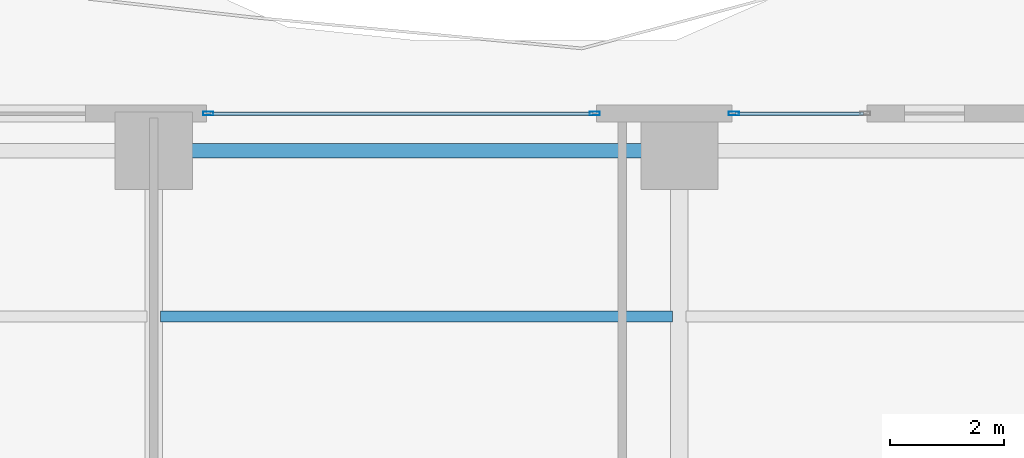
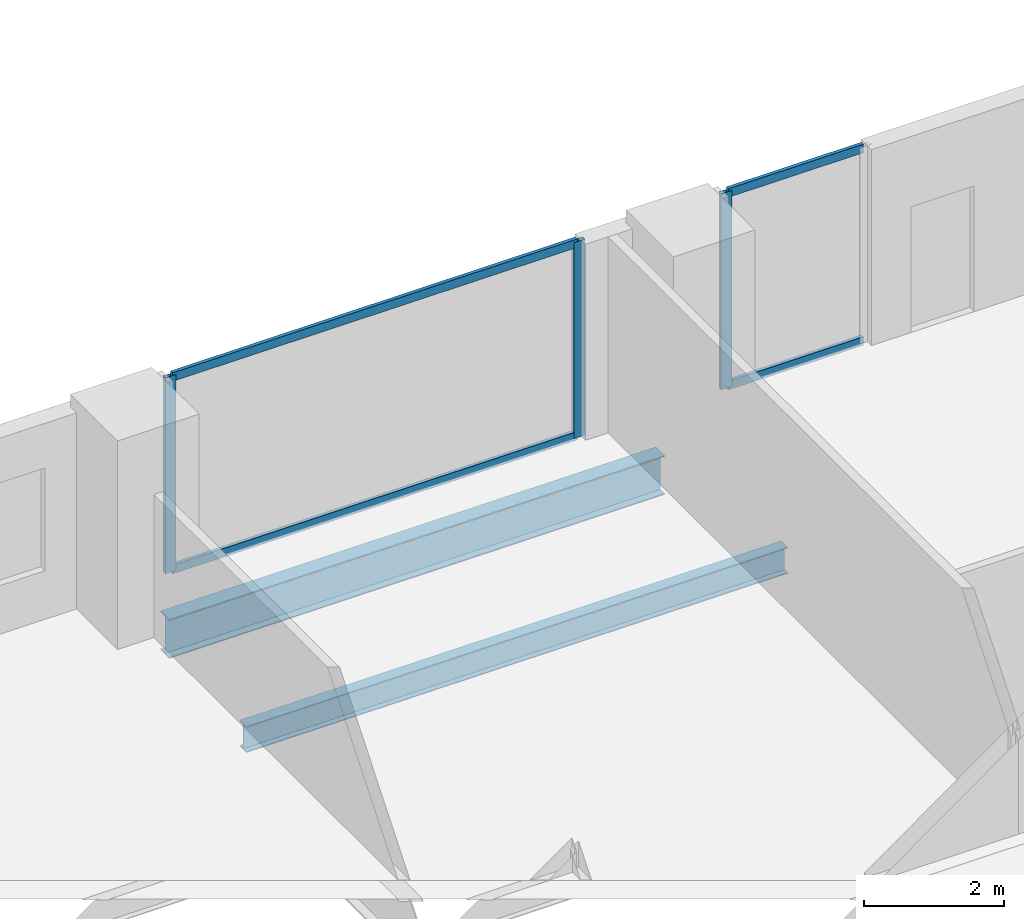
# One storey, part 16 of 27: 7 members, 2 beams, 2 elements without a shape of their own.
"""IFC4 building model written with IfcOpenShell, lengths in metres."""

import ifcopenshell
import ifcopenshell.guid

model = None  # the IFC model being written
_history = None  # IfcOwnerHistory: only IFC2X3 demands one
_inside = {}  # id of a spatial element -> (the spatial element, [elements in it])
_under = {}  # id of a project, library or spatial element -> (it, [spatial elements below it])
_declared = {}  # id of a project -> (the project, [libraries it declares])
_typed = {}  # id of a type object -> (the type object, [elements of that type])
_made_of = {}  # id of a material, layer set ... -> (it, [elements and type objects made of it])


def new_model(schema):
    """Start an empty IFC model of exactly this schema.

    Asked for "IFC4X3", IfcOpenShell would pick the latest addendum, in which some entities
    have other attributes; the version numbers below select the first issue.
    IFC2X3 requires an IfcOwnerHistory on every rooted entity: one is made here for all.
    """
    global model, _history
    if schema == "IFC4X3":
        model = ifcopenshell.file(schema_version=(4, 3, 0, 0))
    else:
        model = ifcopenshell.file(schema=schema)
    _inside.clear()
    _under.clear()
    _declared.clear()
    _typed.clear()
    _made_of.clear()
    _history = None
    if model.schema == "IFC2X3":
        org = make("IfcOrganization", Name="unknown")
        user = make(
            "IfcPersonAndOrganization",
            ThePerson=make("IfcPerson", FamilyName="unknown"),
            TheOrganization=org,
        )
        app = make(
            "IfcApplication",
            ApplicationDeveloper=org,
            Version="unknown",
            ApplicationFullName="unknown",
            ApplicationIdentifier="unknown",
        )
        _history = make(
            "IfcOwnerHistory",
            OwningUser=user,
            OwningApplication=app,
            ChangeAction="ADDED",
            CreationDate=0,
        )
    return model


def make(cls, **values):
    """One entity of the class cls with the attributes given. An attribute that is None is left unset."""
    return model.create_entity(
        cls, **{name: value for name, value in values.items() if value is not None}
    )


def rooted(cls, **values):
    """An entity with a GlobalId (a new one), such as an element, a storey or a relation."""
    return make(cls, GlobalId=ifcopenshell.guid.new(), OwnerHistory=_history, **values)


def si_unit(unit_type, name, prefix=None):
    """IfcSIUnit, for example si_unit("LENGTHUNIT", "METRE", prefix="MILLI")."""
    return make("IfcSIUnit", UnitType=unit_type, Prefix=prefix, Name=name)


def assignment(units):
    """IfcUnitAssignment: the units of a project."""
    return None if units is None else make("IfcUnitAssignment", Units=units)


def point(xyz):
    """IfcCartesianPoint."""
    return None if xyz is None else make("IfcCartesianPoint", Coordinates=xyz)


def direction(xyz):
    """IfcDirection."""
    return None if xyz is None else make("IfcDirection", DirectionRatios=xyz)


def frame(location, z_axis=None, x_axis=None):
    """IfcAxis2Placement3D, a coordinate frame: its origin and axes. An axis left out is left unset."""
    return make(
        "IfcAxis2Placement3D",
        Location=point(location),
        Axis=direction(z_axis),
        RefDirection=direction(x_axis),
    )


def frame_2d(location, x_axis=None):
    """IfcAxis2Placement2D, a coordinate frame in the plane: its origin and x axis."""
    return make(
        "IfcAxis2Placement2D", Location=point(location), RefDirection=direction(x_axis)
    )


def origin():
    """The frame at (0, 0, 0) with its axes left unset."""
    return frame((0.0, 0.0, 0.0))


def origin_2d():
    """The frame at (0, 0) in the plane with its x axis left unset."""
    return frame_2d((0.0, 0.0))


def place(relative_to, where):
    """IfcLocalPlacement: puts the frame where relative to a parent placement (None: the world)."""
    return make(
        "IfcLocalPlacement", PlacementRelTo=relative_to, RelativePlacement=where
    )


def context(
    kind, dimensions, precision=None, world=None, true_north=None, identifier=None
):
    """IfcGeometricRepresentationContext, for example the 3D "Model" context."""
    return make(
        "IfcGeometricRepresentationContext",
        ContextIdentifier=identifier,
        ContextType=kind,
        CoordinateSpaceDimension=dimensions,
        Precision=precision,
        WorldCoordinateSystem=world,
        TrueNorth=true_north,
    )


def subcontext(parent, identifier, kind, view, scale=None):
    """IfcGeometricRepresentationSubContext, for example "Body" below "Model"."""
    return make(
        "IfcGeometricRepresentationSubContext",
        ContextIdentifier=identifier,
        ContextType=kind,
        ParentContext=parent,
        TargetScale=scale,
        TargetView=view,
    )


def project(units=None, contexts=None):
    """IfcProject with its units and contexts."""
    return rooted(
        "IfcProject",
        Name="project",
        RepresentationContexts=contexts,
        UnitsInContext=assignment(units),
    )


def spatial(cls, under=None, at=None, **own):
    """A site, building, storey or space (cls), placed at a placement, below another one or the project."""
    s = rooted(cls, ObjectPlacement=at, **own)
    if under is not None:
        _under.setdefault(under.id(), (under, []))[1].append(s)
    return s


def profile(cls, at=None, kind="AREA", **sizes):
    """A parametric profile (cls). Its sizes go by their IFC names, for example OverallWidth=200.0."""
    return make(cls, ProfileType=kind, Position=at, **sizes)


def hollow_rectangle(**sizes):
    """IfcRectangleHollowProfileDef."""
    return profile("IfcRectangleHollowProfileDef", **sizes)


def i_section(**sizes):
    """IfcIShapeProfileDef."""
    return profile("IfcIShapeProfileDef", **sizes)


def extrude(swept, where, along, depth):
    """IfcExtrudedAreaSolid: the profile swept, set in the frame where, extruded along a direction by depth."""
    return make(
        "IfcExtrudedAreaSolid",
        SweptArea=swept,
        Position=where,
        ExtrudedDirection=direction(along),
        Depth=depth,
    )


def shape(context_of_items, identifier, shape_type, items):
    """IfcShapeRepresentation: the items that make up one representation, for example the "Body"."""
    return make(
        "IfcShapeRepresentation",
        ContextOfItems=context_of_items,
        RepresentationIdentifier=identifier,
        RepresentationType=shape_type,
        Items=items,
    )


def material(Name=None, Category=None):
    """IfcMaterial."""
    return make("IfcMaterial", Name=Name, Category=Category)


def layer(
    of_material, thickness, ventilated=None, Name=None, Category=None, Priority=None
):
    """IfcMaterialLayer: one layer of a wall or slab, of a material (None: an air gap)."""
    return make(
        "IfcMaterialLayer",
        Material=of_material,
        LayerThickness=thickness,
        IsVentilated=ventilated,
        Name=Name,
        Category=Category,
        Priority=Priority,
    )


def layer_set(layers, Name=None):
    """IfcMaterialLayerSet."""
    return make("IfcMaterialLayerSet", MaterialLayers=layers, LayerSetName=Name)


def material_profile(
    of_material, cross_section, Name=None, Category=None, Priority=None
):
    """IfcMaterialProfile: a cross section and its material."""
    return make(
        "IfcMaterialProfile",
        Name=Name,
        Material=of_material,
        Profile=cross_section,
        Priority=Priority,
        Category=Category,
    )


def profile_set(profiles, Name=None, composite=None):
    """IfcMaterialProfileSet."""
    return make(
        "IfcMaterialProfileSet",
        Name=Name,
        MaterialProfiles=profiles,
        CompositeProfile=composite,
    )


def made_of(thing, what):
    """Note that an element or type object is made of a material, layer set ...; save() writes the relation."""
    if what is not None:
        _made_of.setdefault(what.id(), (what, []))[1].append(thing)
    return thing


def type_object(cls, material=None, **own):
    """A type object (cls), such as IfcWallType, which elements share."""
    return made_of(rooted(cls, **own), material)


def element(
    cls,
    number,
    at=None,
    inside=None,
    cuts=None,
    type_object=None,
    material=None,
    context=None,
    identifier="Body",
    shape_type=None,
    held_by="IfcProductDefinitionShape",
    body=None,
    shapes=None,
    **own,
):
    """One element of the class cls, such as IfcWall. Its Tag is "e" and its number.

    at: its placement. inside: the storey or other place that contains it. cuts: it is an
    opening in that element (IfcRelVoidsElement). A single representation is given by context,
    identifier, shape_type and body (its items); several are given by shapes. held_by: the class
    of the entity that holds the representations. save() writes the other relations.
    """
    e = rooted(cls, Tag="e%d" % number, ObjectPlacement=at, **own)
    if body is not None:
        shapes = [shape(context, identifier, shape_type, body)]
    if shapes is not None:
        e.Representation = make(held_by, Representations=shapes)
    if inside is not None:
        _inside.setdefault(inside.id(), (inside, []))[1].append(e)
    if cuts is not None:
        rooted(
            "IfcRelVoidsElement", RelatingBuildingElement=cuts, RelatedOpeningElement=e
        )
    if type_object is not None:
        _typed.setdefault(type_object.id(), (type_object, []))[1].append(e)
    return made_of(e, material)


def aggregate(whole, parts):
    """IfcRelAggregates: a whole, such as a stair, and the parts it consists of."""
    return rooted("IfcRelAggregates", RelatingObject=whole, RelatedObjects=parts)


def save(model, path):
    """Write the relations noted so far, then the file.

    IfcRelAggregates (storeys below a building ...), IfcRelContainedInSpatialStructure (elements
    in a storey), IfcRelDefinesByType, IfcRelAssociatesMaterial and IfcRelDeclares: one each for
    every whole, place, type object, material and project.
    """
    for whole, parts in _under.values():
        aggregate(whole, parts)
    for where, things in _inside.values():
        rooted(
            "IfcRelContainedInSpatialStructure",
            RelatedElements=things,
            RelatingStructure=where,
        )
    for kind, things in _typed.values():
        rooted("IfcRelDefinesByType", RelatedObjects=things, RelatingType=kind)
    for what, things in _made_of.values():
        rooted("IfcRelAssociatesMaterial", RelatedObjects=things, RelatingMaterial=what)
    for by, libraries in _declared.values():
        rooted("IfcRelDeclares", RelatingContext=by, RelatedDefinitions=libraries)
    model.write(path)


model = new_model("IFC4")

# Units and contexts
model_context = context("Model", 3, precision=1e-05, world=origin(), true_north=direction((0.0, 1.0)))
body_context = subcontext(model_context, "Body", "Model", "MODEL_VIEW")
ifc_project = project(units=[si_unit("LENGTHUNIT", "METRE"), si_unit("AREAUNIT", "SQUARE_METRE"), si_unit("VOLUMEUNIT", "CUBIC_METRE"), si_unit("PLANEANGLEUNIT", "RADIAN"), si_unit("MASSUNIT", "GRAM", prefix="KILO")], contexts=[model_context])

# Site, building, storey
site_placement = place(None, origin())
site = spatial("IfcSite", under=ifc_project, at=site_placement, CompositionType="ELEMENT")
building_placement = place(site_placement, origin())
building = spatial("IfcBuilding", under=site, at=building_placement, Name="Zuhayl Quay Hotel", CompositionType="ELEMENT")
storey_placement = place(building_placement, frame((0.0, 0.0, 117.550048828125)))
storey = spatial("IfcBuildingStorey", under=building, at=storey_placement, Name="L29", CompositionType="ELEMENT", Elevation=117.550048828125)

# Beams
ifc_material_1 = material(Name="Steel ASTM A992 Grade 50", Category="steel")
ifc_material_profile_1 = material_profile(ifc_material_1, i_section(OverallWidth=0.25390625, OverallDepth=0.68310546875, WebThickness=0.012451171875, FlangeThickness=0.018798828125, at=origin_2d()), Name="W27X94")
ifc_profile_set_1 = profile_set([ifc_material_profile_1], Name="Steel ASTM A992 Grade 50")
beam_type_1 = type_object("IfcBeamType", Name="BM_B2_W27X94", PredefinedType="BEAM", material=ifc_profile_set_1)
beam_1_placement = place(storey_placement, frame((4.10009765625, 27.75, -0.5615234375), z_axis=(-1.0, 0.0, 0.0), x_axis=(0.0, -1.0, 0.0)))
element("IfcBeam", 1, at=beam_1_placement, inside=storey, type_object=beam_type_1, Name="L29 Floor Beam RG_L29_08", PredefinedType="BEAM", context=body_context, shape_type="SweptSolid", body=[
    extrude(i_section(OverallWidth=0.25390625, OverallDepth=0.68310546875, WebThickness=0.012451171875, FlangeThickness=0.018798828125, at=origin_2d()), origin(), (0.0, 0.0, 1.0), 8.2001953125),
])
ifc_material_profile_2 = material_profile(ifc_material_1, i_section(OverallWidth=0.18994140625, OverallDepth=0.45703125, WebThickness=0.009033203125, FlangeThickness=0.014404296875, at=origin_2d()), Name="W18X50")
ifc_profile_set_2 = profile_set([ifc_material_profile_2], Name="Steel ASTM A992 Grade 50")
beam_type_2 = type_object("IfcBeamType", Name="BM_J2_W18X50", PredefinedType="JOIST", material=ifc_profile_set_2)
beam_2_placement = place(storey_placement, frame((-4.48095703125, 24.85009765625, -0.448486328125), z_axis=(1.0, 0.0, 0.0), x_axis=(0.0, 1.0, 0.0)))
element("IfcBeam", 2, at=beam_2_placement, inside=storey, type_object=beam_type_2, Name="L29 Floor Beam FJ_L29_4_2", PredefinedType="JOIST", context=body_context, shape_type="SweptSolid", body=[
    extrude(i_section(OverallWidth=0.18994140625, OverallDepth=0.45703125, WebThickness=0.009033203125, FlangeThickness=0.014404296875, at=origin_2d()), origin(), (0.0, 0.0, 1.0), 8.9619140625),
])

# Curtain wall, members
ifc_material_2 = material(Name="Anodised Aluminium 6063-T6", Category="aluminium")
ifc_layer = layer(ifc_material_2, 0.179931640625, Name="Anodised Aluminium 6063-T6", Category="aluminium")
ifc_layer_set = layer_set([ifc_layer], Name="Anodised Aluminium 6063-T6")
curtain_wall_type = type_object("IfcCurtainWallType", Name="CW_SYS_Z2", PredefinedType="USERDEFINED", material=ifc_layer_set)
curtain_wall_1_placement = place(storey_placement, origin())
curtain_wall_1 = element("IfcCurtainWall", 3, at=curtain_wall_1_placement, inside=storey, type_object=curtain_wall_type, Name="L29 Curtain Wall ENV_L29_N_CW2", ObjectType="UNITISED CURTAIN WALL", PredefinedType="USERDEFINED")
ifc_material_3 = material(Name="Black-anodised aluminium 6063-T6", Category="aluminium")
ifc_material_profile_3 = material_profile(ifc_material_3, hollow_rectangle(XDim=0.06494140625, YDim=0.179931640625, WallThickness=0.00341796875, at=origin_2d()), Name="ALU180X65")
ifc_profile_set_3 = profile_set([ifc_material_profile_3], Name="Black-anodised aluminium 6063-T6")
member_type_1 = type_object("IfcMemberType", Name="MB_CW_MUL_180", PredefinedType="MULLION", material=ifc_profile_set_3)
member_1_placement = place(storey_placement, frame((-3.6474609375, 28.39990234375, 0.0), z_axis=(0.0, 0.0, 1.0), x_axis=(0.0, 1.0, 0.0)))
member_1 = element("IfcMember", 4, at=member_1_placement, type_object=member_type_1, Name="CW-Z2 mullion 1", PredefinedType="MULLION", context=body_context, shape_type="SweptSolid", body=[
    extrude(hollow_rectangle(XDim=0.06494140625, YDim=0.179931640625, WallThickness=0.00341796875, at=origin_2d()), origin(), (0.0, 0.0, 1.0), 3.429931640625),
])
member_2_placement = place(storey_placement, frame((3.117431640625, 28.39990234375, 0.0), z_axis=(0.0, 0.0, 1.0), x_axis=(0.0, 1.0, 0.0)))
member_2 = element("IfcMember", 5, at=member_2_placement, type_object=member_type_1, Name="CW-Z2 mullion 2", PredefinedType="MULLION", context=body_context, shape_type="SweptSolid", body=[
    extrude(hollow_rectangle(XDim=0.06494140625, YDim=0.179931640625, WallThickness=0.00341796875, at=origin_2d()), origin(), (0.0, 0.0, 1.0), 3.429931640625),
])

# Curtain wall, member
curtain_wall_2_placement = place(storey_placement, origin())
curtain_wall_2 = element("IfcCurtainWall", 6, at=curtain_wall_2_placement, inside=storey, type_object=curtain_wall_type, Name="L29 Curtain Wall ENV_L29_N_CW3", ObjectType="UNITISED CURTAIN WALL", PredefinedType="USERDEFINED")
member_3_placement = place(storey_placement, frame((5.552490234375, 28.39990234375, 0.0), z_axis=(0.0, 0.0, 1.0), x_axis=(0.0, 1.0, 0.0)))
member_3 = element("IfcMember", 7, at=member_3_placement, type_object=member_type_1, Name="CW-Z2 mullion 1", PredefinedType="MULLION", context=body_context, shape_type="SweptSolid", body=[
    extrude(hollow_rectangle(XDim=0.06494140625, YDim=0.179931640625, WallThickness=0.00341796875, at=origin_2d()), origin(), (0.0, 0.0, 1.0), 3.429931640625),
])

# Member
ifc_material_profile_4 = material_profile(ifc_material_3, hollow_rectangle(XDim=0.06005859375, YDim=0.14990234375, WallThickness=0.00341796875, at=origin_2d()), Name="ALU150X60")
ifc_profile_set_4 = profile_set([ifc_material_profile_4], Name="Black-anodised aluminium 6063-T6")
member_type_2 = type_object("IfcMemberType", Name="MB_CW_TRN_150", PredefinedType="USERDEFINED", material=ifc_profile_set_4)
member_4_placement = place(storey_placement, frame((-3.614990234375, 28.39990234375, 0.030029296875), z_axis=(1.0, 0.0, 0.0), x_axis=(0.0, 1.0, 0.0)))
member_4 = element("IfcMember", 8, at=member_4_placement, type_object=member_type_2, Name="CW-Z2 transom 1.1", ObjectType="TRANSOM", PredefinedType="USERDEFINED", context=body_context, shape_type="SweptSolid", body=[
    extrude(hollow_rectangle(XDim=0.06005859375, YDim=0.14990234375, WallThickness=0.00341796875, at=origin_2d()), origin(), (0.0, 0.0, 1.0), 6.699951171875),
])

member_5_placement = place(storey_placement, frame((-3.614990234375, 28.39990234375, 3.39990234375), z_axis=(1.0, 0.0, 0.0), x_axis=(0.0, 1.0, 0.0)))
member_5 = element("IfcMember", 9, at=member_5_placement, type_object=member_type_2, Name="CW-Z2 transom 1.2", ObjectType="TRANSOM", PredefinedType="USERDEFINED", context=body_context, shape_type="SweptSolid", body=[
    extrude(hollow_rectangle(XDim=0.06005859375, YDim=0.14990234375, WallThickness=0.00341796875, at=origin_2d()), origin(), (0.0, 0.0, 1.0), 6.699951171875),
])

aggregate(curtain_wall_1, [member_1, member_2, member_4, member_5])

member_6_placement = place(storey_placement, frame((5.5849609375, 28.39990234375, 0.030029296875), z_axis=(1.0, 0.0, 0.0), x_axis=(0.0, 1.0, 0.0)))
member_6 = element("IfcMember", 10, at=member_6_placement, type_object=member_type_2, Name="CW-Z2 transom 1.1", ObjectType="TRANSOM", PredefinedType="USERDEFINED", context=body_context, shape_type="SweptSolid", body=[
    extrude(hollow_rectangle(XDim=0.06005859375, YDim=0.14990234375, WallThickness=0.00341796875, at=origin_2d()), origin(), (0.0, 0.0, 1.0), 2.235107421875),
])

member_7_placement = place(storey_placement, frame((5.5849609375, 28.39990234375, 3.39990234375), z_axis=(1.0, 0.0, 0.0), x_axis=(0.0, 1.0, 0.0)))
member_7 = element("IfcMember", 11, at=member_7_placement, type_object=member_type_2, Name="CW-Z2 transom 1.2", ObjectType="TRANSOM", PredefinedType="USERDEFINED", context=body_context, shape_type="SweptSolid", body=[
    extrude(hollow_rectangle(XDim=0.06005859375, YDim=0.14990234375, WallThickness=0.00341796875, at=origin_2d()), origin(), (0.0, 0.0, 1.0), 2.235107421875),
])

aggregate(curtain_wall_2, [member_3, member_6, member_7])

save(model, "model.ifc")
